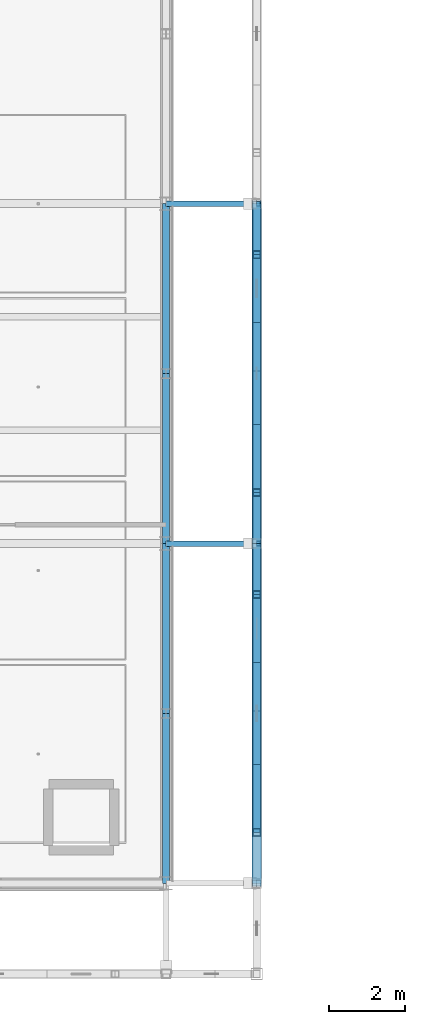
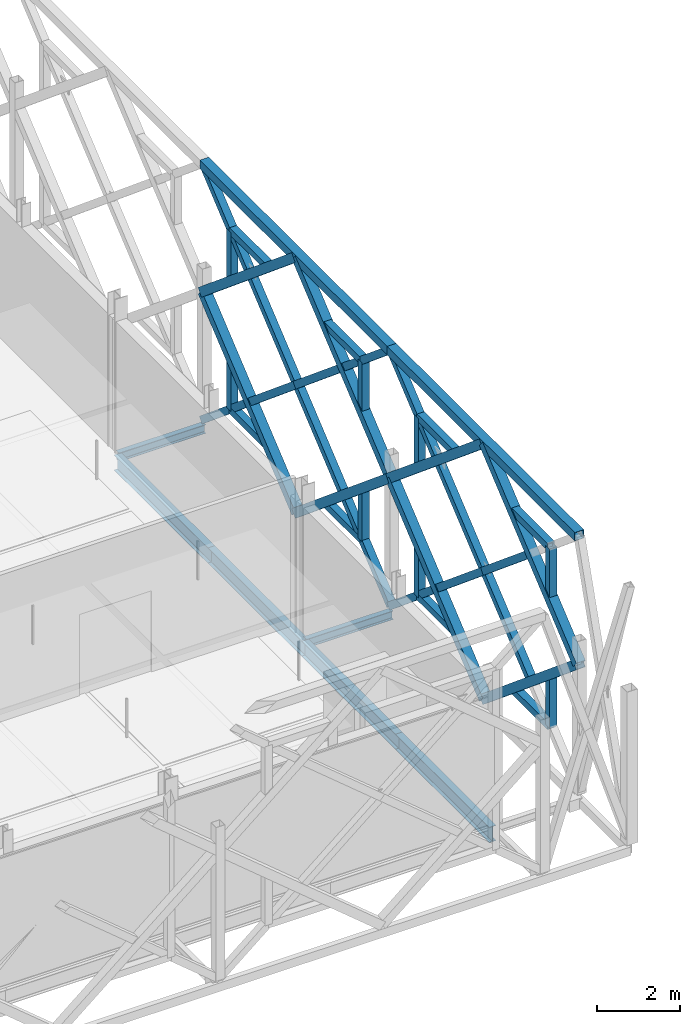
# One storey, part 21 of 66: 38 members, 6 beams.
"""IFC4 building model written with IfcOpenShell, lengths in metres."""

from ifc_helpers import new_model, si_unit, direction, frame, origin, origin_2d, place, context, subcontext, project, spatial, hollow_rectangle, i_section, extrude, material, material_profile, profile_set, type_object, element, save


model = new_model("IFC4")

# Units and contexts
model_context = context("Model", 3, precision=1e-05, world=origin(), true_north=direction((0.0, 1.0)))
body_context = subcontext(model_context, "Body", "Model", "MODEL_VIEW")
ifc_project = project(units=[si_unit("LENGTHUNIT", "METRE"), si_unit("AREAUNIT", "SQUARE_METRE"), si_unit("VOLUMEUNIT", "CUBIC_METRE"), si_unit("PLANEANGLEUNIT", "RADIAN"), si_unit("MASSUNIT", "GRAM", prefix="KILO"), si_unit("THERMODYNAMICTEMPERATUREUNIT", "KELVIN"), si_unit("POWERUNIT", "WATT")], contexts=[model_context])

# Site, building, storey
site_placement = place(None, origin())
site = spatial("IfcSite", under=ifc_project, at=site_placement, CompositionType="ELEMENT")
building_placement = place(site_placement, origin())
building = spatial("IfcBuilding", under=site, at=building_placement, Name="Tallowbark Science Centre", CompositionType="ELEMENT")
storey_placement = place(building_placement, frame((0.0, 0.0, 18.89990234375)))
storey = spatial("IfcBuildingStorey", under=building, at=storey_placement, Name="L04", CompositionType="ELEMENT", Elevation=18.89990234375)

# Beams
ifc_material_1 = material(Name="White Architectural Painted Steel Grade C350L0 (350 MPa)", Category="steel")
ifc_material_profile_1 = material_profile(ifc_material_1, i_section(OverallWidth=0.146484375, OverallDepth=0.256103515625, WebThickness=0.00634765625, FlangeThickness=0.010986328125, FilletRadius=0.0087890625, at=origin_2d()), Name="250UB37.3")
ifc_profile_set_1 = profile_set([ifc_material_profile_1], Name="White Architectural Painted Steel Grade C350L0 (350 MPa)")
beam_type_1 = type_object("IfcBeamType", Name="BM-OUT250", PredefinedType="BEAM", material=ifc_profile_set_1)
for number, where, z_axis, x_axis, name in (
    (1, (103.5, 13.5, -0.25), (1.0, 0.0, 0.0), (0.0, 1.0, 0.0), "Star Screen Outrigger Tie Beam E-72"),
    (2, (103.5, 22.5, -0.25), (1.0, 0.0, 0.0), (0.0, 1.0, 0.0), "Star Screen Outrigger Tie Beam E-74"),
):
    element("IfcBeam", number, at=place(storey_placement, frame(where, z_axis=z_axis, x_axis=x_axis)), inside=storey, type_object=beam_type_1, Name=name, PredefinedType="BEAM", context=body_context, shape_type="SweptSolid", body=[
        extrude(i_section(OverallWidth=0.146484375, OverallDepth=0.256103515625, WebThickness=0.00634765625, FlangeThickness=0.010986328125, FilletRadius=0.0087890625, at=origin_2d()), origin(), (0.0, 0.0, 1.0), 2.39990234375),
    ])

# Members
ifc_material_profile_2 = material_profile(ifc_material_1, hollow_rectangle(XDim=0.25, YDim=0.25, WallThickness=0.009033203125, at=origin_2d()), Name="250x250x9.0SHS")
ifc_profile_set_2 = profile_set([ifc_material_profile_2], Name="White Architectural Painted Steel Grade C350L0 (350 MPa)")
member_type_1 = type_object("IfcMemberType", Name="SCR-CHD200", PredefinedType="CHORD", material=ifc_profile_set_2)
member_1_placement = place(storey_placement, frame((105.89990234375, 4.5, 7.5), z_axis=(0.0, 1.0, 0.0), x_axis=(-1.0, 0.0, 0.0)))
element("IfcMember", 3, at=member_1_placement, inside=storey, type_object=member_type_1, Name="Star Screen Frame Chord E-47", PredefinedType="CHORD", context=body_context, shape_type="SweptSolid", body=[
    extrude(hollow_rectangle(XDim=0.25, YDim=0.25, WallThickness=0.009033203125, at=origin_2d()), origin(), (0.0, 0.0, 1.0), 9.0),
])
for number, where, z_axis, x_axis, name in (
    (4, (105.89990234375, 9.0, 0.0), (0.0, 0.768221279597, 0.640184399664), (-1.0, 0.0, 0.0), "Star Screen Octagram Diamond Chord E-47-1"),
    (5, (105.89990234375, 13.5, 3.75), (0.0, -0.768221279597, 0.640184399664), (1.0, 0.0, 0.0), "Star Screen Octagram Diamond Chord E-47-2"),
    (6, (105.89990234375, 9.0, 7.5), (0.0, -0.768221279597, -0.640184399664), (1.0, 0.0, 0.0), "Star Screen Octagram Diamond Chord E-47-3"),
    (7, (105.89990234375, 4.5, 3.75), (0.0, 0.768221279597, -0.640184399664), (-1.0, 0.0, 0.0), "Star Screen Octagram Diamond Chord E-47-4"),
):
    element("IfcMember", number, at=place(storey_placement, frame(where, z_axis=z_axis, x_axis=x_axis)), inside=storey, type_object=member_type_1, Name=name, PredefinedType="CHORD", context=body_context, shape_type="SweptSolid", body=[
        extrude(hollow_rectangle(XDim=0.25, YDim=0.25, WallThickness=0.009033203125, at=origin_2d()), origin(), (0.0, 0.0, 1.0), 5.857666015625),
    ])
member_2_placement = place(storey_placement, frame((105.89990234375, 13.5, 7.5), z_axis=(0.0, 1.0, 0.0), x_axis=(-1.0, 0.0, 0.0)))
element("IfcMember", 8, at=member_2_placement, inside=storey, type_object=member_type_1, Name="Star Screen Frame Chord E-49", PredefinedType="CHORD", context=body_context, shape_type="SweptSolid", body=[
    extrude(hollow_rectangle(XDim=0.25, YDim=0.25, WallThickness=0.009033203125, at=origin_2d()), origin(), (0.0, 0.0, 1.0), 9.0),
])
for number, where, z_axis, x_axis, name in (
    (9, (105.89990234375, 18.0, 0.0), (0.0, 0.768221279597, 0.640184399664), (-1.0, 0.0, 0.0), "Star Screen Octagram Diamond Chord E-49-1"),
    (10, (105.89990234375, 22.5, 3.75), (0.0, -0.768221279597, 0.640184399664), (1.0, 0.0, 0.0), "Star Screen Octagram Diamond Chord E-49-2"),
    (11, (105.89990234375, 18.0, 7.5), (0.0, -0.768221279597, -0.640184399664), (1.0, 0.0, 0.0), "Star Screen Octagram Diamond Chord E-49-3"),
    (12, (105.89990234375, 13.5, 3.75), (0.0, 0.768221279597, -0.640184399664), (-1.0, 0.0, 0.0), "Star Screen Octagram Diamond Chord E-49-4"),
):
    element("IfcMember", number, at=place(storey_placement, frame(where, z_axis=z_axis, x_axis=x_axis)), inside=storey, type_object=member_type_1, Name=name, PredefinedType="CHORD", context=body_context, shape_type="SweptSolid", body=[
        extrude(hollow_rectangle(XDim=0.25, YDim=0.25, WallThickness=0.009033203125, at=origin_2d()), origin(), (0.0, 0.0, 1.0), 5.857666015625),
    ])
ifc_material_profile_3 = material_profile(ifc_material_1, hollow_rectangle(XDim=0.199951171875, YDim=0.199951171875, WallThickness=0.009033203125, at=origin_2d()), Name="200x200x9.0SHS")
ifc_profile_set_3 = profile_set([ifc_material_profile_3], Name="White Architectural Painted Steel Grade C350L0 (350 MPa)")
member_type_2 = type_object("IfcMemberType", Name="SCR-STAR139", PredefinedType="BRACE", material=ifc_profile_set_3)
member_3_placement = place(storey_placement, frame((105.89990234375, 6.75, 1.875), z_axis=(0.0, 0.768221279597, 0.640184399664), x_axis=(-1.0, 0.0, 0.0)))
element("IfcMember", 13, at=member_3_placement, inside=storey, type_object=member_type_2, Name="Star Screen Continuous X-Diagonal D1M E-47", PredefinedType="BRACE", context=body_context, shape_type="SweptSolid", body=[
    extrude(hollow_rectangle(XDim=0.199951171875, YDim=0.199951171875, WallThickness=0.009033203125, at=origin_2d()), origin(), (0.0, 0.0, 1.0), 5.857666015625),
])
for number, where, z_axis, x_axis, name in (
    (14, (105.89990234375, 11.25, 5.625), (0.0, 0.768221279597, 0.640184399664), (-1.0, 0.0, 0.0), "Star Screen Continuous X-Diagonal D1B E-47"),
    (15, (105.89990234375, 6.75, 5.625), (0.0, 0.768221279597, -0.640184399664), (-1.0, 0.0, 0.0), "Star Screen Split X-Diagonal D2B E-47"),
    (16, (105.89990234375, 9.0, 3.75), (0.0, 0.768221279597, -0.640184399664), (-1.0, 0.0, 0.0), "Star Screen Split X-Diagonal D2C E-47"),
    (17, (105.89990234375, 11.25, 1.875), (0.0, 0.768221279597, -0.640184399664), (-1.0, 0.0, 0.0), "Star Screen Split X-Diagonal D2D E-47"),
    (18, (105.89990234375, 13.5, 0.0), (0.0, 0.768221279597, 0.640184399664), (-1.0, 0.0, 0.0), "Star Screen Continuous X-Diagonal D1A E-49"),
):
    element("IfcMember", number, at=place(storey_placement, frame(where, z_axis=z_axis, x_axis=x_axis)), inside=storey, type_object=member_type_2, Name=name, PredefinedType="BRACE", context=body_context, shape_type="SweptSolid", body=[
        extrude(hollow_rectangle(XDim=0.199951171875, YDim=0.199951171875, WallThickness=0.009033203125, at=origin_2d()), origin(), (0.0, 0.0, 1.0), 2.928955078125),
    ])
member_4_placement = place(storey_placement, frame((105.89990234375, 15.75, 1.875), z_axis=(0.0, 0.768221279597, 0.640184399664), x_axis=(-1.0, 0.0, 0.0)))
element("IfcMember", 19, at=member_4_placement, inside=storey, type_object=member_type_2, Name="Star Screen Continuous X-Diagonal D1M E-49", PredefinedType="BRACE", context=body_context, shape_type="SweptSolid", body=[
    extrude(hollow_rectangle(XDim=0.199951171875, YDim=0.199951171875, WallThickness=0.009033203125, at=origin_2d()), origin(), (0.0, 0.0, 1.0), 5.857666015625),
])
for number, where, z_axis, x_axis, name in (
    (20, (105.89990234375, 20.25, 5.625), (0.0, 0.768221279597, 0.640184399664), (-1.0, 0.0, 0.0), "Star Screen Continuous X-Diagonal D1B E-49"),
    (21, (105.89990234375, 13.5, 7.5), (0.0, 0.768221279597, -0.640184399664), (-1.0, 0.0, 0.0), "Star Screen Split X-Diagonal D2A E-49"),
    (22, (105.89990234375, 15.75, 5.625), (0.0, 0.768221279597, -0.640184399664), (-1.0, 0.0, 0.0), "Star Screen Split X-Diagonal D2B E-49"),
    (23, (105.89990234375, 18.0, 3.75), (0.0, 0.768221279597, -0.640184399664), (-1.0, 0.0, 0.0), "Star Screen Split X-Diagonal D2C E-49"),
    (24, (105.89990234375, 20.25, 1.875), (0.0, 0.768221279597, -0.640184399664), (-1.0, 0.0, 0.0), "Star Screen Split X-Diagonal D2D E-49"),
):
    element("IfcMember", number, at=place(storey_placement, frame(where, z_axis=z_axis, x_axis=x_axis)), inside=storey, type_object=member_type_2, Name=name, PredefinedType="BRACE", context=body_context, shape_type="SweptSolid", body=[
        extrude(hollow_rectangle(XDim=0.199951171875, YDim=0.199951171875, WallThickness=0.009033203125, at=origin_2d()), origin(), (0.0, 0.0, 1.0), 2.928955078125),
    ])
ifc_material_profile_4 = material_profile(ifc_material_1, hollow_rectangle(XDim=0.199951171875, YDim=0.199951171875, WallThickness=0.009033203125, at=origin_2d()), Name="200x200x9.0SHS")
ifc_profile_set_4 = profile_set([ifc_material_profile_4], Name="White Architectural Painted Steel Grade C350L0 (350 MPa)")
member_type_3 = type_object("IfcMemberType", Name="SCR-SUB150", PredefinedType="BRACE", material=ifc_profile_set_4)
member_5_placement = place(storey_placement, frame((105.89990234375, 5.85009765625, 1.125), z_axis=(0.0, 1.0, 0.0), x_axis=(-1.0, 0.0, 0.0)))
element("IfcMember", 25, at=member_5_placement, inside=storey, type_object=member_type_3, Name="Star Screen Octagram Point Ray E-47-1", PredefinedType="BRACE", context=body_context, shape_type="SweptSolid", body=[
    extrude(hollow_rectangle(XDim=0.199951171875, YDim=0.199951171875, WallThickness=0.009033203125, at=origin_2d()), origin(), (0.0, 0.0, 1.0), 1.7998046875),
])
member_6_placement = place(storey_placement, frame((105.89990234375, 5.85009765625, 1.125), z_axis=(0.0, 0.0, 1.0), x_axis=(1.0, 0.0, 0.0)))
element("IfcMember", 26, at=member_6_placement, inside=storey, type_object=member_type_3, Name="Star Screen Octagram Point Ray E-47-2", PredefinedType="BRACE", context=body_context, shape_type="SweptSolid", body=[
    extrude(hollow_rectangle(XDim=0.199951171875, YDim=0.199951171875, WallThickness=0.009033203125, at=origin_2d()), origin(), (0.0, 0.0, 1.0), 1.5),
])
member_7_placement = place(storey_placement, frame((105.89990234375, 12.14990234375, 1.125), z_axis=(0.0, -1.0, 0.0), x_axis=(1.0, 0.0, 0.0)))
element("IfcMember", 27, at=member_7_placement, inside=storey, type_object=member_type_3, Name="Star Screen Octagram Point Ray E-47-3", PredefinedType="BRACE", context=body_context, shape_type="SweptSolid", body=[
    extrude(hollow_rectangle(XDim=0.199951171875, YDim=0.199951171875, WallThickness=0.009033203125, at=origin_2d()), origin(), (0.0, 0.0, 1.0), 1.7998046875),
])
member_8_placement = place(storey_placement, frame((105.89990234375, 12.14990234375, 1.125), z_axis=(0.0, 0.0, 1.0), x_axis=(1.0, 0.0, 0.0)))
element("IfcMember", 28, at=member_8_placement, inside=storey, type_object=member_type_3, Name="Star Screen Octagram Point Ray E-47-4", PredefinedType="BRACE", context=body_context, shape_type="SweptSolid", body=[
    extrude(hollow_rectangle(XDim=0.199951171875, YDim=0.199951171875, WallThickness=0.009033203125, at=origin_2d()), origin(), (0.0, 0.0, 1.0), 1.5),
])
member_9_placement = place(storey_placement, frame((105.89990234375, 12.14990234375, 6.375), z_axis=(0.0, -1.0, 0.0), x_axis=(1.0, 0.0, 0.0)))
element("IfcMember", 29, at=member_9_placement, inside=storey, type_object=member_type_3, Name="Star Screen Octagram Point Ray E-47-5", PredefinedType="BRACE", context=body_context, shape_type="SweptSolid", body=[
    extrude(hollow_rectangle(XDim=0.199951171875, YDim=0.199951171875, WallThickness=0.009033203125, at=origin_2d()), origin(), (0.0, 0.0, 1.0), 1.7998046875),
])
member_10_placement = place(storey_placement, frame((105.89990234375, 12.14990234375, 6.375), z_axis=(0.0, 0.0, -1.0), x_axis=(1.0, 0.0, 0.0)))
element("IfcMember", 30, at=member_10_placement, inside=storey, type_object=member_type_3, Name="Star Screen Octagram Point Ray E-47-6", PredefinedType="BRACE", context=body_context, shape_type="SweptSolid", body=[
    extrude(hollow_rectangle(XDim=0.199951171875, YDim=0.199951171875, WallThickness=0.009033203125, at=origin_2d()), origin(), (0.0, 0.0, 1.0), 1.5),
])
member_11_placement = place(storey_placement, frame((105.89990234375, 5.85009765625, 6.375), z_axis=(0.0, 1.0, 0.0), x_axis=(-1.0, 0.0, 0.0)))
element("IfcMember", 31, at=member_11_placement, inside=storey, type_object=member_type_3, Name="Star Screen Octagram Point Ray E-47-7", PredefinedType="BRACE", context=body_context, shape_type="SweptSolid", body=[
    extrude(hollow_rectangle(XDim=0.199951171875, YDim=0.199951171875, WallThickness=0.009033203125, at=origin_2d()), origin(), (0.0, 0.0, 1.0), 1.7998046875),
])
member_12_placement = place(storey_placement, frame((105.89990234375, 5.85009765625, 6.375), z_axis=(0.0, 0.0, -1.0), x_axis=(1.0, 0.0, 0.0)))
element("IfcMember", 32, at=member_12_placement, inside=storey, type_object=member_type_3, Name="Star Screen Octagram Point Ray E-47-8", PredefinedType="BRACE", context=body_context, shape_type="SweptSolid", body=[
    extrude(hollow_rectangle(XDim=0.199951171875, YDim=0.199951171875, WallThickness=0.009033203125, at=origin_2d()), origin(), (0.0, 0.0, 1.0), 1.5),
])
member_13_placement = place(storey_placement, frame((105.89990234375, 14.85009765625, 1.125), z_axis=(0.0, 1.0, 0.0), x_axis=(-1.0, 0.0, 0.0)))
element("IfcMember", 33, at=member_13_placement, inside=storey, type_object=member_type_3, Name="Star Screen Octagram Point Ray E-49-1", PredefinedType="BRACE", context=body_context, shape_type="SweptSolid", body=[
    extrude(hollow_rectangle(XDim=0.199951171875, YDim=0.199951171875, WallThickness=0.009033203125, at=origin_2d()), origin(), (0.0, 0.0, 1.0), 1.7998046875),
])
member_14_placement = place(storey_placement, frame((105.89990234375, 14.85009765625, 1.125), z_axis=(0.0, 0.0, 1.0), x_axis=(1.0, 0.0, 0.0)))
element("IfcMember", 34, at=member_14_placement, inside=storey, type_object=member_type_3, Name="Star Screen Octagram Point Ray E-49-2", PredefinedType="BRACE", context=body_context, shape_type="SweptSolid", body=[
    extrude(hollow_rectangle(XDim=0.199951171875, YDim=0.199951171875, WallThickness=0.009033203125, at=origin_2d()), origin(), (0.0, 0.0, 1.0), 1.5),
])
member_15_placement = place(storey_placement, frame((105.89990234375, 21.14990234375, 1.125), z_axis=(0.0, -1.0, 0.0), x_axis=(1.0, 0.0, 0.0)))
element("IfcMember", 35, at=member_15_placement, inside=storey, type_object=member_type_3, Name="Star Screen Octagram Point Ray E-49-3", PredefinedType="BRACE", context=body_context, shape_type="SweptSolid", body=[
    extrude(hollow_rectangle(XDim=0.199951171875, YDim=0.199951171875, WallThickness=0.009033203125, at=origin_2d()), origin(), (0.0, 0.0, 1.0), 1.7998046875),
])
member_16_placement = place(storey_placement, frame((105.89990234375, 21.14990234375, 1.125), z_axis=(0.0, 0.0, 1.0), x_axis=(1.0, 0.0, 0.0)))
element("IfcMember", 36, at=member_16_placement, inside=storey, type_object=member_type_3, Name="Star Screen Octagram Point Ray E-49-4", PredefinedType="BRACE", context=body_context, shape_type="SweptSolid", body=[
    extrude(hollow_rectangle(XDim=0.199951171875, YDim=0.199951171875, WallThickness=0.009033203125, at=origin_2d()), origin(), (0.0, 0.0, 1.0), 1.5),
])
member_17_placement = place(storey_placement, frame((105.89990234375, 21.14990234375, 6.375), z_axis=(0.0, -1.0, 0.0), x_axis=(1.0, 0.0, 0.0)))
element("IfcMember", 37, at=member_17_placement, inside=storey, type_object=member_type_3, Name="Star Screen Octagram Point Ray E-49-5", PredefinedType="BRACE", context=body_context, shape_type="SweptSolid", body=[
    extrude(hollow_rectangle(XDim=0.199951171875, YDim=0.199951171875, WallThickness=0.009033203125, at=origin_2d()), origin(), (0.0, 0.0, 1.0), 1.7998046875),
])
member_18_placement = place(storey_placement, frame((105.89990234375, 21.14990234375, 6.375), z_axis=(0.0, 0.0, -1.0), x_axis=(1.0, 0.0, 0.0)))
element("IfcMember", 38, at=member_18_placement, inside=storey, type_object=member_type_3, Name="Star Screen Octagram Point Ray E-49-6", PredefinedType="BRACE", context=body_context, shape_type="SweptSolid", body=[
    extrude(hollow_rectangle(XDim=0.199951171875, YDim=0.199951171875, WallThickness=0.009033203125, at=origin_2d()), origin(), (0.0, 0.0, 1.0), 1.5),
])
member_19_placement = place(storey_placement, frame((105.89990234375, 14.85009765625, 6.375), z_axis=(0.0, 1.0, 0.0), x_axis=(-1.0, 0.0, 0.0)))
element("IfcMember", 39, at=member_19_placement, inside=storey, type_object=member_type_3, Name="Star Screen Octagram Point Ray E-49-7", PredefinedType="BRACE", context=body_context, shape_type="SweptSolid", body=[
    extrude(hollow_rectangle(XDim=0.199951171875, YDim=0.199951171875, WallThickness=0.009033203125, at=origin_2d()), origin(), (0.0, 0.0, 1.0), 1.7998046875),
])
member_20_placement = place(storey_placement, frame((105.89990234375, 14.85009765625, 6.375), z_axis=(0.0, 0.0, -1.0), x_axis=(1.0, 0.0, 0.0)))
element("IfcMember", 40, at=member_20_placement, inside=storey, type_object=member_type_3, Name="Star Screen Octagram Point Ray E-49-8", PredefinedType="BRACE", context=body_context, shape_type="SweptSolid", body=[
    extrude(hollow_rectangle(XDim=0.199951171875, YDim=0.199951171875, WallThickness=0.009033203125, at=origin_2d()), origin(), (0.0, 0.0, 1.0), 1.5),
])

# Beams
ifc_material_2 = material(Name="Structural Steel Grade 300PLUS (300 MPa)", Category="steel")
ifc_material_profile_5 = material_profile(ifc_material_2, i_section(OverallWidth=0.18994140625, OverallDepth=0.453857421875, WebThickness=0.008544921875, FlangeThickness=0.0126953125, FilletRadius=0.011474609375, at=origin_2d()), Name="460UB67.1")
ifc_profile_set_5 = profile_set([ifc_material_profile_5], Name="Structural Steel Grade 300PLUS (300 MPa)")
beam_type_2 = type_object("IfcBeamType", Name="SPN-UB460", PredefinedType="SPANDREL", material=ifc_profile_set_5)
for number, where, z_axis, x_axis, name in (
    (41, (103.5, 4.5, -0.40673828125), (0.0, 1.0, 0.0), (-1.0, 0.0, 0.0), "Primary Girder GRDY-L04-1035-45-90"),
    (42, (103.5, 9.0, -0.40673828125), (0.0, 1.0, 0.0), (-1.0, 0.0, 0.0), "Primary Girder GRDY-L04-1035-90-135"),
    (43, (103.5, 13.5, -0.40673828125), (0.0, 1.0, 0.0), (-1.0, 0.0, 0.0), "Primary Girder GRDY-L04-1035-135-180"),
    (44, (103.5, 18.0, -0.40673828125), (0.0, 1.0, 0.0), (-1.0, 0.0, 0.0), "Primary Girder GRDY-L04-1035-180-225"),
):
    element("IfcBeam", number, at=place(storey_placement, frame(where, z_axis=z_axis, x_axis=x_axis)), inside=storey, type_object=beam_type_2, Name=name, PredefinedType="SPANDREL", context=body_context, shape_type="SweptSolid", body=[
        extrude(i_section(OverallWidth=0.18994140625, OverallDepth=0.453857421875, WebThickness=0.008544921875, FlangeThickness=0.0126953125, FilletRadius=0.011474609375, at=origin_2d()), origin(), (0.0, 0.0, 1.0), 4.5),
    ])

save(model, "model.ifc")
